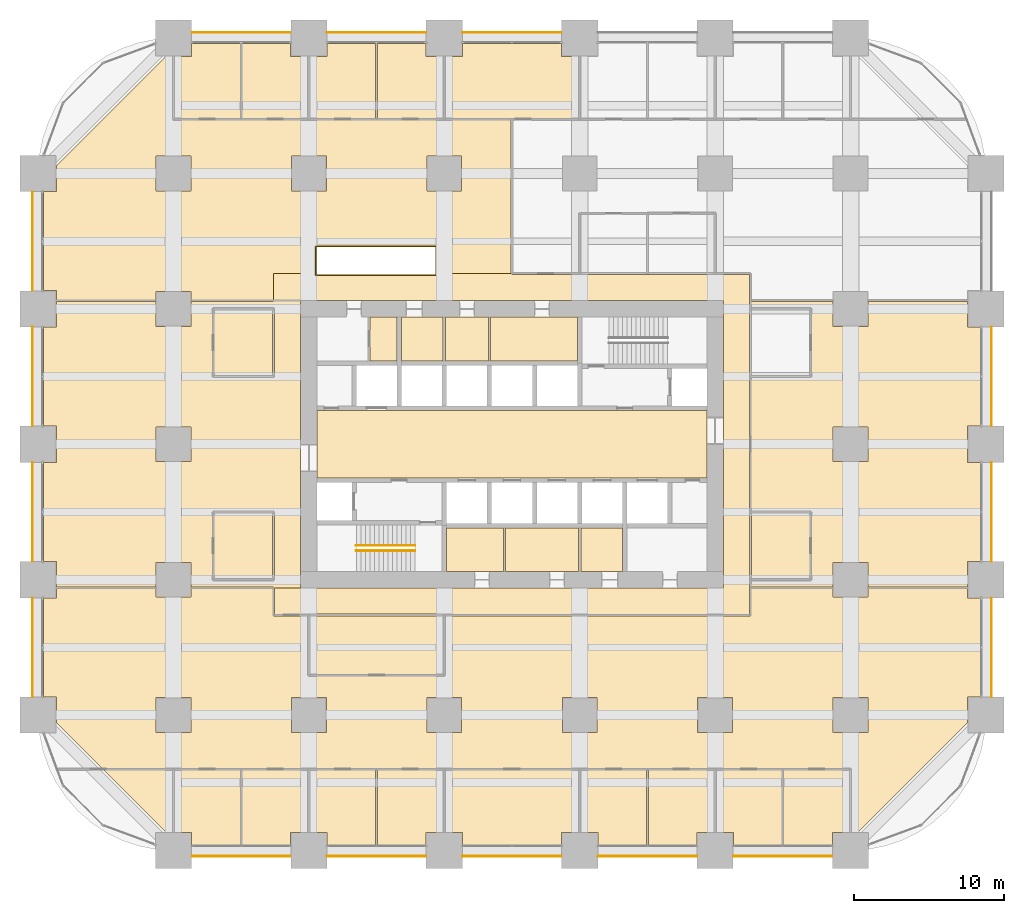
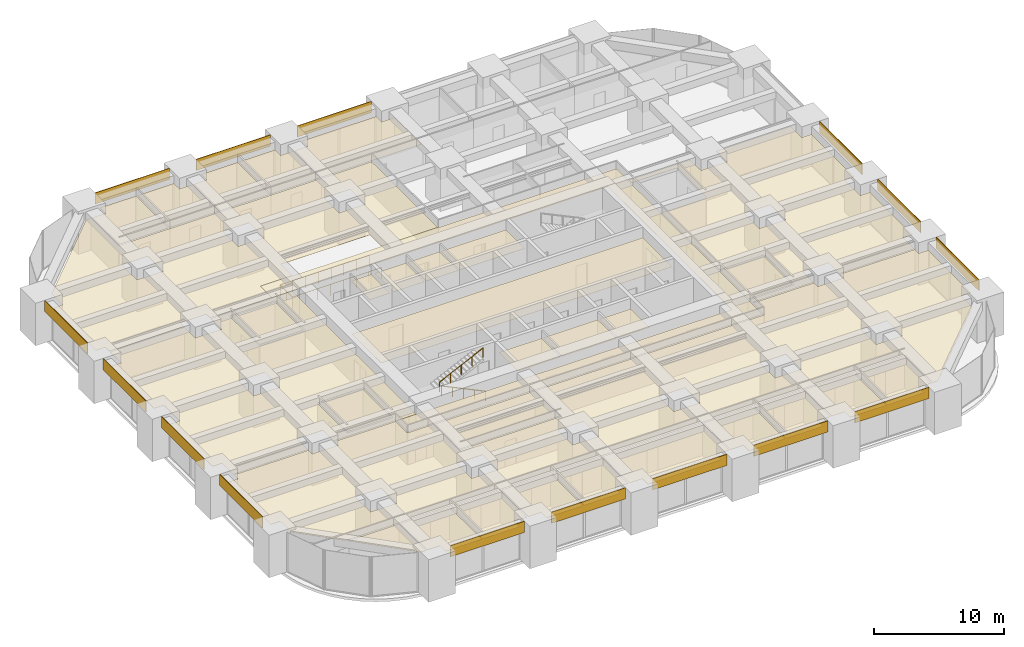
# One storey, part 43 of 44: 47 coverings, 3 railings.
"""IFC4 building model written with IfcOpenShell, lengths in metres."""

from ifc_helpers import new_model, si_unit, direction, frame, frame_2d, origin, origin_2d, place, context, subcontext, project, spatial, polyline, rectangle, circle, outline, extrude, material, layer, layer_set, type_object, element, save


model = new_model("IFC4")

# Units and contexts
model_context = context("Model", 3, precision=1e-05, world=origin(), true_north=direction((0.0, 1.0)))
body_context = subcontext(model_context, "Body", "Model", "MODEL_VIEW")
ifc_project = project(units=[si_unit("LENGTHUNIT", "METRE"), si_unit("AREAUNIT", "SQUARE_METRE"), si_unit("VOLUMEUNIT", "CUBIC_METRE"), si_unit("PLANEANGLEUNIT", "RADIAN"), si_unit("MASSUNIT", "GRAM", prefix="KILO")], contexts=[model_context])

# Site, building, storey
site_placement = place(None, origin())
site = spatial("IfcSite", under=ifc_project, at=site_placement, CompositionType="ELEMENT")
building_placement = place(site_placement, origin())
building = spatial("IfcBuilding", under=site, at=building_placement, Name="Zorevar Civic Tower", CompositionType="ELEMENT")
storey_placement = place(building_placement, frame((0.0, 0.0, 43.800048828125)))
storey = spatial("IfcBuildingStorey", under=building, at=storey_placement, Name="L10", CompositionType="ELEMENT", Elevation=43.800048828125)

# Railings
ifc_material_1 = material(Name="Laminated glass balustrade with black steel handrail", Category="steel")
railing_type_1 = type_object("IfcRailingType", Name="Balustrade BL1 1100", PredefinedType="BALUSTRADE", material=ifc_material_1)
railing_1_placement = place(storey_placement, frame((26.39990234375, 38.25, 0.0)))
element("IfcRailing", 1, at=railing_1_placement, inside=storey, type_object=railing_type_1, Name="Balustrade BL1 stair void L10", PredefinedType="BALUSTRADE", context=body_context, shape_type="SweptSolid", body=[
    extrude(circle(Radius=0.02392578125, at=origin_2d()), frame((0.0, 0.0, 1.076171875), z_axis=(-1.0, 0.0, 0.0), x_axis=(0.0, -1.0, 0.0)), (0.0, 0.0, 1.0), 7.949951171875),
    extrude(circle(Radius=0.02392578125, at=origin_2d()), frame((-7.949951171875, 0.0, 1.076171875), z_axis=(0.0, 1.0, 0.0), x_axis=(-1.0, 0.0, 0.0)), (0.0, 0.0, 1.0), 1.89990234375),
    extrude(circle(Radius=0.02392578125, at=origin_2d()), frame((-7.949951171875, 1.89990234375, 1.076171875), z_axis=(1.0, 0.0, 0.0), x_axis=(0.0, 1.0, 0.0)), (0.0, 0.0, 1.0), 7.949951171875),
    extrude(circle(Radius=0.02099609375, at=origin_2d()), origin(), (0.0, 0.0, 1.0), 1.052001953125),
    extrude(circle(Radius=0.02099609375, at=origin_2d()), frame((-1.1357421875, 0.0, 0.0)), (0.0, 0.0, 1.0), 1.052001953125),
    extrude(circle(Radius=0.02099609375, at=origin_2d()), frame((-2.271484375, 0.0, 0.0)), (0.0, 0.0, 1.0), 1.052001953125),
    extrude(circle(Radius=0.02099609375, at=origin_2d()), frame((-3.4072265625, 0.0, 0.0)), (0.0, 0.0, 1.0), 1.052001953125),
    extrude(circle(Radius=0.02099609375, at=origin_2d()), frame((-4.542724609375, 0.0, 0.0)), (0.0, 0.0, 1.0), 1.052001953125),
    extrude(circle(Radius=0.02099609375, at=origin_2d()), frame((-5.678466796875, 0.0, 0.0)), (0.0, 0.0, 1.0), 1.052001953125),
    extrude(circle(Radius=0.02099609375, at=origin_2d()), frame((-6.814208984375, 0.0, 0.0)), (0.0, 0.0, 1.0), 1.052001953125),
    extrude(circle(Radius=0.02099609375, at=origin_2d()), frame((-7.949951171875, 0.0, 0.0)), (0.0, 0.0, 1.0), 1.052001953125),
    extrude(circle(Radius=0.02099609375, at=origin_2d()), frame((-7.949951171875, 0.949951171875, 0.0)), (0.0, 0.0, 1.0), 1.052001953125),
    extrude(circle(Radius=0.02099609375, at=origin_2d()), frame((-7.949951171875, 1.89990234375, 0.0)), (0.0, 0.0, 1.0), 1.052001953125),
    extrude(circle(Radius=0.02099609375, at=origin_2d()), frame((-6.814208984375, 1.89990234375, 0.0)), (0.0, 0.0, 1.0), 1.052001953125),
    extrude(circle(Radius=0.02099609375, at=origin_2d()), frame((-5.678466796875, 1.89990234375, 0.0)), (0.0, 0.0, 1.0), 1.052001953125),
    extrude(circle(Radius=0.02099609375, at=origin_2d()), frame((-4.542724609375, 1.89990234375, 0.0)), (0.0, 0.0, 1.0), 1.052001953125),
    extrude(circle(Radius=0.02099609375, at=origin_2d()), frame((-3.4072265625, 1.89990234375, 0.0)), (0.0, 0.0, 1.0), 1.052001953125),
    extrude(circle(Radius=0.02099609375, at=origin_2d()), frame((-2.271484375, 1.89990234375, 0.0)), (0.0, 0.0, 1.0), 1.052001953125),
    extrude(circle(Radius=0.02099609375, at=origin_2d()), frame((-1.1357421875, 1.89990234375, 0.0)), (0.0, 0.0, 1.0), 1.052001953125),
    extrude(circle(Radius=0.02099609375, at=origin_2d()), frame((0.0, 1.89990234375, 0.0)), (0.0, 0.0, 1.0), 1.052001953125),
])
ifc_material_2 = material(Name="Black steel handrail", Category="steel")
railing_type_2 = type_object("IfcRailingType", Name="Handrail HR1 900", PredefinedType="HANDRAIL", material=ifc_material_2)
railing_2_placement = place(storey_placement, frame((25.050048828125, 19.925048828125, 0.142822265625)))
element("IfcRailing", 2, at=railing_2_placement, inside=storey, type_object=railing_type_2, Name="Handrail HR1 ST1 L10", PredefinedType="HANDRAIL", context=body_context, shape_type="SweptSolid", body=[
    extrude(circle(Radius=0.02392578125, at=origin_2d()), frame((0.0, 0.0, 0.8759765625), z_axis=(-0.902863652845, 0.0, 0.429926998885), x_axis=(0.0, -1.0, 0.0)), (0.0, 0.0, 1.0), 4.31982421875),
    extrude(circle(Radius=0.02099609375, at=origin_2d()), origin(), (0.0, 0.0, 1.0), 0.851806640625),
    extrude(circle(Radius=0.02099609375, at=origin_2d()), frame((-0.97509765625, 0.0, 0.46435546875)), (0.0, 0.0, 1.0), 0.851806640625),
    extrude(circle(Radius=0.02099609375, at=origin_2d()), frame((-1.9501953125, 0.0, 0.9287109375)), (0.0, 0.0, 1.0), 0.851806640625),
    extrude(circle(Radius=0.02099609375, at=origin_2d()), frame((-2.925048828125, 0.0, 1.392822265625)), (0.0, 0.0, 1.0), 0.851806640625),
    extrude(circle(Radius=0.02099609375, at=origin_2d()), frame((-3.900146484375, 0.0, 1.857177734375)), (0.0, 0.0, 1.0), 0.851806640625),
])
railing_3_placement = place(storey_placement, frame((21.14990234375, 20.27490234375, 2.142822265625)))
element("IfcRailing", 3, at=railing_3_placement, inside=storey, type_object=railing_type_2, Name="Handrail HR1 ST1 L10", PredefinedType="HANDRAIL", context=body_context, shape_type="SweptSolid", body=[
    extrude(circle(Radius=0.02392578125, at=origin_2d()), frame((0.0, 0.0, 0.8759765625), z_axis=(0.902863652845, 0.0, 0.429926998885), x_axis=(0.0, 1.0, 0.0)), (0.0, 0.0, 1.0), 4.31982421875),
    extrude(circle(Radius=0.02099609375, at=origin_2d()), origin(), (0.0, 0.0, 1.0), 0.851806640625),
    extrude(circle(Radius=0.02099609375, at=origin_2d()), frame((0.97509765625, 0.0, 0.46435546875)), (0.0, 0.0, 1.0), 0.851806640625),
    extrude(circle(Radius=0.02099609375, at=origin_2d()), frame((1.9501953125, 0.0, 0.9287109375)), (0.0, 0.0, 1.0), 0.851806640625),
    extrude(circle(Radius=0.02099609375, at=origin_2d()), frame((2.925048828125, 0.0, 1.392822265625)), (0.0, 0.0, 1.0), 0.851806640625),
    extrude(circle(Radius=0.02099609375, at=origin_2d()), frame((3.900146484375, 0.0, 1.857177734375)), (0.0, 0.0, 1.0), 0.851806640625),
])

# Coverings
ifc_material_3 = material(Name="Moisture-resistant gypsum board")
ifc_layer_1 = layer(ifc_material_3, 0.012451171875)
ifc_layer_set_1 = layer_set([ifc_layer_1], Name="Moisture-resistant ceiling SC3")
covering_type_1 = type_object("IfcCoveringType", Name="Moisture-resistant ceiling SC3", PredefinedType="CEILING", material=ifc_layer_set_1)
covering_1_placement = place(storey_placement, frame((0.0, 0.0, 3.0)))
element("IfcCovering", 4, at=covering_1_placement, inside=storey, type_object=covering_type_1, Name="Ceiling L10-05", PredefinedType="CEILING", context=body_context, shape_type="SweptSolid", body=[
    extrude(outline(polyline([(30.925048828125, 18.550048828125), (30.925048828125, 21.449951171875), (27.14990234375, 21.449951171875), (27.14990234375, 18.550048828125), (30.925048828125, 18.550048828125)])), origin(), (0.0, 0.0, 1.0), 0.012451171875),
])
covering_2_placement = place(storey_placement, frame((0.0, 0.0, 3.0)))
element("IfcCovering", 5, at=covering_2_placement, inside=storey, type_object=covering_type_1, Name="Ceiling L10-06", PredefinedType="CEILING", context=body_context, shape_type="SweptSolid", body=[
    extrude(outline(polyline([(35.925048828125, 18.550048828125), (35.925048828125, 21.449951171875), (31.074951171875, 21.449951171875), (31.074951171875, 18.550048828125), (35.925048828125, 18.550048828125)])), origin(), (0.0, 0.0, 1.0), 0.012451171875),
])
covering_3_placement = place(storey_placement, frame((0.0, 0.0, 3.0)))
element("IfcCovering", 6, at=covering_3_placement, inside=storey, type_object=covering_type_1, Name="Ceiling L10-07", PredefinedType="CEILING", context=body_context, shape_type="SweptSolid", body=[
    extrude(outline(polyline([(38.85009765625, 18.550048828125), (38.85009765625, 21.449951171875), (36.074951171875, 21.449951171875), (36.074951171875, 18.550048828125), (38.85009765625, 18.550048828125)])), origin(), (0.0, 0.0, 1.0), 0.012451171875),
])
covering_4_placement = place(storey_placement, frame((0.0, 0.0, 3.0)))
element("IfcCovering", 7, at=covering_4_placement, inside=storey, type_object=covering_type_1, Name="Ceiling L10-10", PredefinedType="CEILING", context=body_context, shape_type="SweptSolid", body=[
    extrude(outline(polyline([(26.925048828125, 32.550048828125), (26.925048828125, 35.449951171875), (24.14990234375, 35.449951171875), (24.14990234375, 32.550048828125), (26.925048828125, 32.550048828125)])), origin(), (0.0, 0.0, 1.0), 0.012451171875),
])
ifc_material_4 = material(Name="Black anodised aluminium spandrel panel", Category="aluminium")
ifc_layer_2 = layer(ifc_material_4, 0.050048828125)
ifc_layer_set_2 = layer_set([ifc_layer_2], Name="Spandrel cladding SP1")
covering_type_2 = type_object("IfcCoveringType", Name="Spandrel cladding SP1", PredefinedType="CLADDING", material=ifc_layer_set_2)
for number, where, z_axis, x_axis, name in (
    (8, (10.199951171875, -0.375, 2.949951171875), (0.0, 0.0, 1.0), (1.0, 0.0, 0.0), "Spandrel cladding L11"),
    (9, (19.199951171875, -0.375, 2.949951171875), (0.0, 0.0, 1.0), (1.0, 0.0, 0.0), "Spandrel cladding L11"),
    (10, (28.199951171875, -0.375, 2.949951171875), (0.0, 0.0, 1.0), (1.0, 0.0, 0.0), "Spandrel cladding L11"),
    (11, (37.199951171875, -0.375, 2.949951171875), (0.0, 0.0, 1.0), (1.0, 0.0, 0.0), "Spandrel cladding L11"),
    (12, (46.199951171875, -0.375, 2.949951171875), (0.0, 0.0, 1.0), (1.0, 0.0, 0.0), "Spandrel cladding L11"),
    (13, (10.199951171875, 54.375, 2.949951171875), (0.0, 0.0, 1.0), (1.0, 0.0, 0.0), "Spandrel cladding L11"),
    (14, (19.199951171875, 54.375, 2.949951171875), (0.0, 0.0, 1.0), (1.0, 0.0, 0.0), "Spandrel cladding L11"),
    (15, (28.199951171875, 54.375, 2.949951171875), (0.0, 0.0, 1.0), (1.0, 0.0, 0.0), "Spandrel cladding L11"),
    (16, (-0.375, 10.199951171875, 2.949951171875), (0.0, 0.0, 1.0), (0.0, 1.0, 0.0), "Spandrel cladding L11"),
    (17, (-0.375, 19.199951171875, 2.949951171875), (0.0, 0.0, 1.0), (0.0, 1.0, 0.0), "Spandrel cladding L11"),
    (18, (-0.375, 28.199951171875, 2.949951171875), (0.0, 0.0, 1.0), (0.0, 1.0, 0.0), "Spandrel cladding L11"),
    (19, (-0.375, 37.199951171875, 2.949951171875), (0.0, 0.0, 1.0), (0.0, 1.0, 0.0), "Spandrel cladding L11"),
    (20, (63.375, 10.199951171875, 2.949951171875), (0.0, 0.0, 1.0), (0.0, 1.0, 0.0), "Spandrel cladding L11"),
    (21, (63.375, 19.199951171875, 2.949951171875), (0.0, 0.0, 1.0), (0.0, 1.0, 0.0), "Spandrel cladding L11"),
    (22, (63.375, 28.199951171875, 2.949951171875), (0.0, 0.0, 1.0), (0.0, 1.0, 0.0), "Spandrel cladding L11"),
):
    element("IfcCovering", number, at=place(storey_placement, frame(where, z_axis=z_axis, x_axis=x_axis)), inside=storey, type_object=covering_type_2, Name=name, PredefinedType="CLADDING", context=body_context, shape_type="SweptSolid", body=[
        extrude(rectangle(XDim=6.60009765625, YDim=0.050048828125, at=frame_2d((3.300048828125, 0.0))), origin(), (0.0, 0.0, 1.0), 1.050048828125),
    ])
ifc_material_5 = material(Name="Mineral fibre tiles on a concealed grid")
ifc_layer_3 = layer(ifc_material_5, 0.02001953125)
ifc_layer_set_3 = layer_set([ifc_layer_3], Name="Suspended ceiling SC1")
covering_type_3 = type_object("IfcCoveringType", Name="Suspended ceiling SC1", PredefinedType="CEILING", material=ifc_layer_set_3)
covering_5_placement = place(storey_placement, frame((0.0, 0.0, 3.0)))
element("IfcCovering", 23, at=covering_5_placement, inside=storey, type_object=covering_type_3, Name="Ceiling L10-08", PredefinedType="CEILING", context=body_context, shape_type="SweptSolid", body=[
    extrude(outline(polyline([(35.85009765625, 32.550048828125), (35.85009765625, 35.449951171875), (30.06005859375, 35.449951171875), (30.06005859375, 32.550048828125), (35.85009765625, 32.550048828125)])), origin(), (0.0, 0.0, 1.0), 0.02001953125),
])
covering_6_placement = place(storey_placement, frame((0.0, 0.0, 3.0)))
element("IfcCovering", 24, at=covering_6_placement, inside=storey, type_object=covering_type_3, Name="Ceiling L10-09", PredefinedType="CEILING", context=body_context, shape_type="SweptSolid", body=[
    extrude(outline(polyline([(29.93994140625, 32.550048828125), (29.93994140625, 35.449951171875), (27.074951171875, 35.449951171875), (27.074951171875, 32.550048828125), (29.93994140625, 32.550048828125)])), origin(), (0.0, 0.0, 1.0), 0.02001953125),
])
covering_7_placement = place(storey_placement, frame((0.0, 0.0, 3.0)))
element("IfcCovering", 25, at=covering_7_placement, inside=storey, type_object=covering_type_3, Name="Ceiling L10-12", PredefinedType="CEILING", context=body_context, shape_type="SweptSolid", body=[
    extrude(outline(polyline([(23.85009765625, 32.550048828125), (23.85009765625, 35.449951171875), (22.06005859375, 35.449951171875), (22.06005859375, 32.550048828125), (23.85009765625, 32.550048828125)])), origin(), (0.0, 0.0, 1.0), 0.02001953125),
])
covering_8_placement = place(storey_placement, frame((0.0, 0.0, 3.0)))
element("IfcCovering", 26, at=covering_8_placement, inside=storey, type_object=covering_type_3, Name="Ceiling L10-16", PredefinedType="CEILING", context=body_context, shape_type="SweptSolid", body=[
    extrude(outline(polyline([(44.449951171875, 24.75), (44.449951171875, 29.25), (18.550048828125, 29.25), (18.550048828125, 24.75), (44.449951171875, 24.75)])), origin(), (0.0, 0.0, 1.0), 0.02001953125),
])
covering_9_placement = place(storey_placement, frame((0.0, 0.0, 3.0)))
element("IfcCovering", 27, at=covering_9_placement, inside=storey, type_object=covering_type_3, Name="Ceiling L10-17", PredefinedType="CEILING", context=body_context, shape_type="SweptSolid", body=[
    extrude(outline(polyline([(13.43994140625, 5.340087890625), (13.43994140625, 0.35009765625), (10.2099609375, 0.35009765625), (10.2099609375, 1.2099609375), (9.06005859375, 1.2099609375), (9.06005859375, 5.340087890625), (13.43994140625, 5.340087890625)])), origin(), (0.0, 0.0, 1.0), 0.02001953125),
])
covering_10_placement = place(storey_placement, frame((0.0, 0.0, 3.0)))
element("IfcCovering", 28, at=covering_10_placement, inside=storey, type_object=covering_type_3, Name="Ceiling L10-18", PredefinedType="CEILING", context=body_context, shape_type="SweptSolid", body=[
    extrude(outline(polyline([(17.93994140625, 5.340087890625), (17.93994140625, 1.2099609375), (16.7900390625, 1.2099609375), (16.7900390625, 0.35009765625), (13.56005859375, 0.35009765625), (13.56005859375, 5.340087890625), (17.93994140625, 5.340087890625)])), origin(), (0.0, 0.0, 1.0), 0.02001953125),
])
covering_11_placement = place(storey_placement, frame((0.0, 0.0, 3.0)))
element("IfcCovering", 29, at=covering_11_placement, inside=storey, type_object=covering_type_3, Name="Ceiling L10-19", PredefinedType="CEILING", context=body_context, shape_type="SweptSolid", body=[
    extrude(outline(polyline([(22.43994140625, 5.340087890625), (22.43994140625, 0.35009765625), (19.2099609375, 0.35009765625), (19.2099609375, 1.2099609375), (18.06005859375, 1.2099609375), (18.06005859375, 5.340087890625), (22.43994140625, 5.340087890625)])), origin(), (0.0, 0.0, 1.0), 0.02001953125),
])
covering_12_placement = place(storey_placement, frame((0.0, 0.0, 3.0)))
element("IfcCovering", 30, at=covering_12_placement, inside=storey, type_object=covering_type_3, Name="Ceiling L10-20", PredefinedType="CEILING", context=body_context, shape_type="SweptSolid", body=[
    extrude(outline(polyline([(26.93994140625, 5.340087890625), (26.93994140625, 1.2099609375), (25.7900390625, 1.2099609375), (25.7900390625, 0.35009765625), (22.56005859375, 0.35009765625), (22.56005859375, 5.340087890625), (26.93994140625, 5.340087890625)])), origin(), (0.0, 0.0, 1.0), 0.02001953125),
])
covering_13_placement = place(storey_placement, frame((0.0, 0.0, 3.0)))
element("IfcCovering", 31, at=covering_13_placement, inside=storey, type_object=covering_type_3, Name="Ceiling L10-21", PredefinedType="CEILING", context=body_context, shape_type="SweptSolid", body=[
    extrude(outline(polyline([(28.2099609375, 0.35009765625), (28.2099609375, 1.2099609375), (27.06005859375, 1.2099609375), (27.06005859375, 5.340087890625), (35.93994140625, 5.340087890625), (35.93994140625, 1.2099609375), (34.7900390625, 1.2099609375), (34.7900390625, 0.35009765625), (28.2099609375, 0.35009765625)])), origin(), (0.0, 0.0, 1.0), 0.02001953125),
])
covering_14_placement = place(storey_placement, frame((0.0, 0.0, 3.0)))
element("IfcCovering", 32, at=covering_14_placement, inside=storey, type_object=covering_type_3, Name="Ceiling L10-22", PredefinedType="CEILING", context=body_context, shape_type="SweptSolid", body=[
    extrude(outline(polyline([(40.43994140625, 5.340087890625), (40.43994140625, 0.35009765625), (37.2099609375, 0.35009765625), (37.2099609375, 1.2099609375), (36.06005859375, 1.2099609375), (36.06005859375, 5.340087890625), (40.43994140625, 5.340087890625)])), origin(), (0.0, 0.0, 1.0), 0.02001953125),
])
covering_15_placement = place(storey_placement, frame((0.0, 0.0, 3.0)))
element("IfcCovering", 33, at=covering_15_placement, inside=storey, type_object=covering_type_3, Name="Ceiling L10-23", PredefinedType="CEILING", context=body_context, shape_type="SweptSolid", body=[
    extrude(outline(polyline([(44.93994140625, 5.340087890625), (44.93994140625, 1.2099609375), (43.7900390625, 1.2099609375), (43.7900390625, 0.35009765625), (40.56005859375, 0.35009765625), (40.56005859375, 5.340087890625), (44.93994140625, 5.340087890625)])), origin(), (0.0, 0.0, 1.0), 0.02001953125),
])
covering_16_placement = place(storey_placement, frame((0.0, 0.0, 3.0)))
element("IfcCovering", 34, at=covering_16_placement, inside=storey, type_object=covering_type_3, Name="Ceiling L10-24", PredefinedType="CEILING", context=body_context, shape_type="SweptSolid", body=[
    extrude(outline(polyline([(49.43994140625, 5.340087890625), (49.43994140625, 0.35009765625), (46.2099609375, 0.35009765625), (46.2099609375, 1.2099609375), (45.06005859375, 1.2099609375), (45.06005859375, 5.340087890625), (49.43994140625, 5.340087890625)])), origin(), (0.0, 0.0, 1.0), 0.02001953125),
])
covering_17_placement = place(storey_placement, frame((0.0, 0.0, 3.0)))
element("IfcCovering", 35, at=covering_17_placement, inside=storey, type_object=covering_type_3, Name="Ceiling L10-25", PredefinedType="CEILING", context=body_context, shape_type="SweptSolid", body=[
    extrude(outline(polyline([(53.93994140625, 5.340087890625), (53.93994140625, 1.2099609375), (52.7900390625, 1.2099609375), (52.7900390625, 0.35009765625), (49.56005859375, 0.35009765625), (49.56005859375, 5.340087890625), (53.93994140625, 5.340087890625)])), origin(), (0.0, 0.0, 1.0), 0.02001953125),
])
covering_18_placement = place(storey_placement, frame((0.0, 0.0, 3.0)))
element("IfcCovering", 36, at=covering_18_placement, inside=storey, type_object=covering_type_3, Name="Ceiling L10-26", PredefinedType="CEILING", context=body_context, shape_type="SweptSolid", body=[
    extrude(outline(polyline([(9.06005859375, 48.659912109375), (9.06005859375, 52.7900390625), (10.2099609375, 52.7900390625), (10.2099609375, 53.64990234375), (13.43994140625, 53.64990234375), (13.43994140625, 48.659912109375), (9.06005859375, 48.659912109375)])), origin(), (0.0, 0.0, 1.0), 0.02001953125),
])
covering_19_placement = place(storey_placement, frame((0.0, 0.0, 3.0)))
element("IfcCovering", 37, at=covering_19_placement, inside=storey, type_object=covering_type_3, Name="Ceiling L10-27", PredefinedType="CEILING", context=body_context, shape_type="SweptSolid", body=[
    extrude(outline(polyline([(13.56005859375, 48.659912109375), (13.56005859375, 53.64990234375), (16.7900390625, 53.64990234375), (16.7900390625, 52.7900390625), (17.93994140625, 52.7900390625), (17.93994140625, 48.659912109375), (13.56005859375, 48.659912109375)])), origin(), (0.0, 0.0, 1.0), 0.02001953125),
])
covering_20_placement = place(storey_placement, frame((0.0, 0.0, 3.0)))
element("IfcCovering", 38, at=covering_20_placement, inside=storey, type_object=covering_type_3, Name="Ceiling L10-28", PredefinedType="CEILING", context=body_context, shape_type="SweptSolid", body=[
    extrude(outline(polyline([(18.06005859375, 48.659912109375), (18.06005859375, 52.7900390625), (19.2099609375, 52.7900390625), (19.2099609375, 53.64990234375), (22.43994140625, 53.64990234375), (22.43994140625, 48.659912109375), (18.06005859375, 48.659912109375)])), origin(), (0.0, 0.0, 1.0), 0.02001953125),
])
covering_21_placement = place(storey_placement, frame((0.0, 0.0, 3.0)))
element("IfcCovering", 39, at=covering_21_placement, inside=storey, type_object=covering_type_3, Name="Ceiling L10-29", PredefinedType="CEILING", context=body_context, shape_type="SweptSolid", body=[
    extrude(outline(polyline([(22.56005859375, 48.659912109375), (22.56005859375, 53.64990234375), (25.7900390625, 53.64990234375), (25.7900390625, 52.7900390625), (26.93994140625, 52.7900390625), (26.93994140625, 48.659912109375), (22.56005859375, 48.659912109375)])), origin(), (0.0, 0.0, 1.0), 0.02001953125),
])
covering_22_placement = place(storey_placement, frame((0.0, 0.0, 3.0)))
element("IfcCovering", 40, at=covering_22_placement, inside=storey, type_object=covering_type_3, Name="Ceiling L10-30", PredefinedType="CEILING", context=body_context, shape_type="SweptSolid", body=[
    extrude(outline(polyline([(28.2099609375, 52.7900390625), (28.2099609375, 53.64990234375), (34.7900390625, 53.64990234375), (34.7900390625, 52.7900390625), (35.93994140625, 52.7900390625), (35.93994140625, 48.659912109375), (27.06005859375, 48.659912109375), (27.06005859375, 52.7900390625), (28.2099609375, 52.7900390625)])), origin(), (0.0, 0.0, 1.0), 0.02001953125),
])
covering_23_placement = place(storey_placement, frame((0.0, 0.0, 3.0)))
element("IfcCovering", 41, at=covering_23_placement, inside=storey, type_object=covering_type_3, Name="Ceiling L10-35", PredefinedType="CEILING", context=body_context, shape_type="SweptSolid", body=[
    extrude(outline(polyline([(18.06005859375, 11.699951171875), (18.06005859375, 15.590087890625), (26.93994140625, 15.590087890625), (26.93994140625, 11.699951171875), (18.06005859375, 11.699951171875)])), origin(), (0.0, 0.0, 1.0), 0.02001953125),
])
covering_24_placement = place(storey_placement, frame((0.0, 0.0, 3.0)))
element("IfcCovering", 42, at=covering_24_placement, inside=storey, type_object=covering_type_3, Name="Ceiling L10-38", PredefinedType="CEILING", context=body_context, shape_type="SweptSolid", body=[
    extrude(outline(polyline([(15.590087890625, 22.43994140625), (15.590087890625, 18.06005859375), (11.7099609375, 18.06005859375), (11.7099609375, 22.43994140625), (15.590087890625, 22.43994140625)])), origin(), (0.0, 0.0, 1.0), 0.02001953125),
])
covering_25_placement = place(storey_placement, frame((0.0, 0.0, 3.0)))
element("IfcCovering", 43, at=covering_25_placement, inside=storey, type_object=covering_type_3, Name="Ceiling L10-40", PredefinedType="CEILING", context=body_context, shape_type="SweptSolid", body=[
    extrude(outline(polyline([(11.7099609375, 31.56005859375), (11.7099609375, 35.93994140625), (15.590087890625, 35.93994140625), (15.590087890625, 31.56005859375), (11.7099609375, 31.56005859375)])), origin(), (0.0, 0.0, 1.0), 0.02001953125),
])
covering_26_placement = place(storey_placement, frame((0.0, 0.0, 3.0)))
element("IfcCovering", 44, at=covering_26_placement, inside=storey, type_object=covering_type_3, Name="Ceiling L10-41", PredefinedType="CEILING", context=body_context, shape_type="SweptSolid", body=[
    extrude(outline(polyline([(47.409912109375, 18.06005859375), (47.409912109375, 22.43994140625), (51.2900390625, 22.43994140625), (51.2900390625, 18.06005859375), (47.409912109375, 18.06005859375)])), origin(), (0.0, 0.0, 1.0), 0.02001953125),
])
covering_27_placement = place(storey_placement, frame((0.0, 0.0, 3.0)))
element("IfcCovering", 45, at=covering_27_placement, inside=storey, type_object=covering_type_3, Name="Ceiling L10-42", PredefinedType="CEILING", context=body_context, shape_type="SweptSolid", body=[
    extrude(outline(polyline([(8.93994140625, 5.340087890625), (8.93994140625, 1.2099609375), (8.4970703125, 1.2099609375), (4.3671875, 5.340087890625), (8.93994140625, 5.340087890625)])), origin(), (0.0, 0.0, 1.0), 0.02001953125),
])
covering_28_placement = place(storey_placement, frame((0.0, 0.0, 3.0)))
element("IfcCovering", 46, at=covering_28_placement, inside=storey, type_object=covering_type_3, Name="Ceiling L10-44", PredefinedType="CEILING", context=body_context, shape_type="SweptSolid", body=[
    extrude(outline(polyline([(15.64990234375, 36.550048828125), (15.64990234375, 38.35009765625), (18.5, 38.35009765625), (18.5, 38.300048828125), (26.39990234375, 38.300048828125), (26.39990234375, 38.35009765625), (31.5, 38.35009765625), (31.5, 38.300048828125), (36.0, 38.300048828125), (36.0, 38.2900390625), (45.0, 38.2900390625), (45.0, 38.300048828125), (47.300048828125, 38.300048828125), (47.300048828125, 36.0), (47.2900390625, 36.0), (47.2900390625, 31.5), (47.300048828125, 31.5), (47.300048828125, 22.5), (47.2900390625, 22.5), (47.2900390625, 18.0), (47.300048828125, 18.0), (47.300048828125, 15.699951171875), (27.0, 15.699951171875), (27.0, 15.7099609375), (18.0, 15.7099609375), (18.0, 15.699951171875), (15.699951171875, 15.699951171875), (15.699951171875, 17.449951171875), (45.550048828125, 17.449951171875), (45.550048828125, 36.550048828125), (15.64990234375, 36.550048828125)])), origin(), (0.0, 0.0, 1.0), 0.02001953125),
])
covering_29_placement = place(storey_placement, frame((0.0, 0.0, 3.0)))
element("IfcCovering", 47, at=covering_29_placement, inside=storey, type_object=covering_type_3, Name="Ceiling L10-45", PredefinedType="CEILING", context=body_context, shape_type="SweptSolid", body=[
    extrude(outline(polyline([(51.409912109375, 36.0), (51.35009765625, 36.0), (51.35009765625, 36.06005859375), (47.39990234375, 36.06005859375), (47.39990234375, 36.5), (52.840087890625, 36.5), (52.840087890625, 34.840087890625), (55.159912109375, 34.840087890625), (55.159912109375, 36.5), (61.7900390625, 36.5), (61.7900390625, 34.7900390625), (62.64990234375, 34.7900390625), (62.64990234375, 28.2099609375), (61.7900390625, 28.2099609375), (61.7900390625, 25.7900390625), (62.64990234375, 25.7900390625), (62.64990234375, 19.2099609375), (61.7900390625, 19.2099609375), (61.7900390625, 17.5), (55.159912109375, 17.5), (55.159912109375, 19.159912109375), (52.840087890625, 19.159912109375), (52.840087890625, 17.5), (47.39990234375, 17.5), (47.39990234375, 17.93994140625), (51.35009765625, 17.93994140625), (51.35009765625, 18.0), (51.409912109375, 18.0), (51.409912109375, 22.5), (51.35009765625, 22.5), (51.35009765625, 22.56005859375), (47.39990234375, 22.56005859375), (47.39990234375, 31.43994140625), (51.35009765625, 31.43994140625), (51.35009765625, 31.5), (51.409912109375, 31.5), (51.409912109375, 36.0)]), holes=[polyline([(55.159912109375, 28.159912109375), (52.840087890625, 28.159912109375), (52.840087890625, 25.840087890625), (55.159912109375, 25.840087890625), (55.159912109375, 28.159912109375)])]), origin(), (0.0, 0.0, 1.0), 0.02001953125),
])
covering_30_placement = place(storey_placement, frame((0.0, 0.0, 3.0)))
element("IfcCovering", 48, at=covering_30_placement, inside=storey, type_object=covering_type_3, Name="Ceiling L10-46", PredefinedType="CEILING", context=body_context, shape_type="SweptSolid", body=[
    extrude(outline(polyline([(31.449951171875, 48.5400390625), (31.449951171875, 38.35009765625), (26.39990234375, 38.35009765625), (26.39990234375, 40.10009765625), (18.5, 40.10009765625), (18.5, 38.35009765625), (15.64990234375, 38.35009765625), (15.64990234375, 36.60009765625), (10.159912109375, 36.60009765625), (10.159912109375, 37.159912109375), (7.840087890625, 37.159912109375), (7.840087890625, 36.60009765625), (1.2099609375, 36.60009765625), (1.2099609375, 37.2099609375), (0.35009765625, 37.2099609375), (0.35009765625, 43.7900390625), (1.2099609375, 43.7900390625), (1.2099609375, 45.5029296875), (8.4970703125, 52.7900390625), (8.93994140625, 52.7900390625), (8.93994140625, 48.60009765625), (9.0, 48.60009765625), (9.0, 48.5400390625), (31.449951171875, 48.5400390625)]), holes=[polyline([(10.159912109375, 46.159912109375), (7.840087890625, 46.159912109375), (7.840087890625, 43.840087890625), (10.159912109375, 43.840087890625), (10.159912109375, 46.159912109375)]), polyline([(16.840087890625, 43.840087890625), (19.159912109375, 43.840087890625), (19.159912109375, 46.159912109375), (16.840087890625, 46.159912109375), (16.840087890625, 43.840087890625)]), polyline([(25.840087890625, 46.159912109375), (25.840087890625, 43.840087890625), (28.159912109375, 43.840087890625), (28.159912109375, 46.159912109375), (25.840087890625, 46.159912109375)])]), origin(), (0.0, 0.0, 1.0), 0.02001953125),
])
covering_31_placement = place(storey_placement, frame((0.0, 0.0, 3.0)))
element("IfcCovering", 49, at=covering_31_placement, inside=storey, type_object=covering_type_3, Name="Ceiling L10-48", PredefinedType="CEILING", context=body_context, shape_type="SweptSolid", body=[
    extrude(outline(polyline([(54.5029296875, 1.2099609375), (54.06005859375, 1.2099609375), (54.06005859375, 5.39990234375), (54.0, 5.39990234375), (54.0, 5.4599609375), (4.2470703125, 5.4599609375), (1.2099609375, 8.4970703125), (1.2099609375, 10.2099609375), (0.35009765625, 10.2099609375), (0.35009765625, 16.7900390625), (1.2099609375, 16.7900390625), (1.2099609375, 17.39990234375), (7.840087890625, 17.39990234375), (7.840087890625, 16.840087890625), (10.159912109375, 16.840087890625), (10.159912109375, 17.39990234375), (15.60009765625, 17.39990234375), (15.60009765625, 15.64990234375), (15.64990234375, 15.64990234375), (15.64990234375, 15.60009765625), (17.93994140625, 15.60009765625), (17.93994140625, 11.64990234375), (18.0, 11.64990234375), (18.0, 11.60009765625), (27.0, 11.60009765625), (27.0, 11.64990234375), (27.06005859375, 11.64990234375), (27.06005859375, 15.60009765625), (47.35009765625, 15.60009765625), (47.35009765625, 15.64990234375), (47.39990234375, 15.64990234375), (47.39990234375, 17.39990234375), (52.840087890625, 17.39990234375), (52.840087890625, 16.840087890625), (55.159912109375, 16.840087890625), (55.159912109375, 17.39990234375), (61.7900390625, 17.39990234375), (61.7900390625, 16.7900390625), (62.64990234375, 16.7900390625), (62.64990234375, 10.2099609375), (61.7900390625, 10.2099609375), (61.7900390625, 8.4970703125), (54.5029296875, 1.2099609375)]), holes=[polyline([(10.159912109375, 10.159912109375), (7.840087890625, 10.159912109375), (7.840087890625, 7.840087890625), (10.159912109375, 7.840087890625), (10.159912109375, 10.159912109375)]), polyline([(16.840087890625, 7.840087890625), (19.159912109375, 7.840087890625), (19.159912109375, 10.159912109375), (16.840087890625, 10.159912109375), (16.840087890625, 7.840087890625)]), polyline([(25.840087890625, 10.159912109375), (25.840087890625, 7.840087890625), (28.159912109375, 7.840087890625), (28.159912109375, 10.159912109375), (25.840087890625, 10.159912109375)]), polyline([(37.159912109375, 10.159912109375), (34.840087890625, 10.159912109375), (34.840087890625, 7.840087890625), (37.159912109375, 7.840087890625), (37.159912109375, 10.159912109375)]), polyline([(46.159912109375, 7.840087890625), (46.159912109375, 10.159912109375), (43.840087890625, 10.159912109375), (43.840087890625, 7.840087890625), (46.159912109375, 7.840087890625)]), polyline([(52.840087890625, 10.159912109375), (52.840087890625, 7.840087890625), (55.159912109375, 7.840087890625), (55.159912109375, 10.159912109375), (52.840087890625, 10.159912109375)])]), origin(), (0.0, 0.0, 1.0), 0.02001953125),
])
covering_32_placement = place(storey_placement, frame((0.0, 0.0, 3.0)))
element("IfcCovering", 50, at=covering_32_placement, inside=storey, type_object=covering_type_3, Name="Ceiling L10-49", PredefinedType="CEILING", context=body_context, shape_type="SweptSolid", body=[
    extrude(outline(polyline([(0.35009765625, 19.2099609375), (0.35009765625, 25.7900390625), (1.2099609375, 25.7900390625), (1.2099609375, 28.2099609375), (0.35009765625, 28.2099609375), (0.35009765625, 34.7900390625), (1.2099609375, 34.7900390625), (1.2099609375, 36.5), (7.840087890625, 36.5), (7.840087890625, 34.840087890625), (10.159912109375, 34.840087890625), (10.159912109375, 36.5), (15.64990234375, 36.5), (15.64990234375, 36.550048828125), (17.449951171875, 36.550048828125), (17.449951171875, 17.449951171875), (15.64990234375, 17.449951171875), (15.64990234375, 17.5), (10.159912109375, 17.5), (10.159912109375, 19.159912109375), (7.840087890625, 19.159912109375), (7.840087890625, 17.5), (1.2099609375, 17.5), (1.2099609375, 19.2099609375), (0.35009765625, 19.2099609375)]), holes=[polyline([(11.590087890625, 18.0), (11.64990234375, 18.0), (11.64990234375, 17.93994140625), (15.64990234375, 17.93994140625), (15.64990234375, 18.0), (15.7099609375, 18.0), (15.7099609375, 22.5), (15.64990234375, 22.5), (15.64990234375, 22.56005859375), (11.64990234375, 22.56005859375), (11.64990234375, 22.5), (11.590087890625, 22.5), (11.590087890625, 18.0)]), polyline([(11.590087890625, 31.5), (11.64990234375, 31.5), (11.64990234375, 31.43994140625), (15.64990234375, 31.43994140625), (15.64990234375, 31.5), (15.7099609375, 31.5), (15.7099609375, 36.0), (15.64990234375, 36.0), (15.64990234375, 36.06005859375), (11.64990234375, 36.06005859375), (11.64990234375, 36.0), (11.590087890625, 36.0), (11.590087890625, 31.5)]), polyline([(7.840087890625, 28.159912109375), (7.840087890625, 25.840087890625), (10.159912109375, 25.840087890625), (10.159912109375, 28.159912109375), (7.840087890625, 28.159912109375)])]), origin(), (0.0, 0.0, 1.0), 0.02001953125),
])

save(model, "model.ifc")
